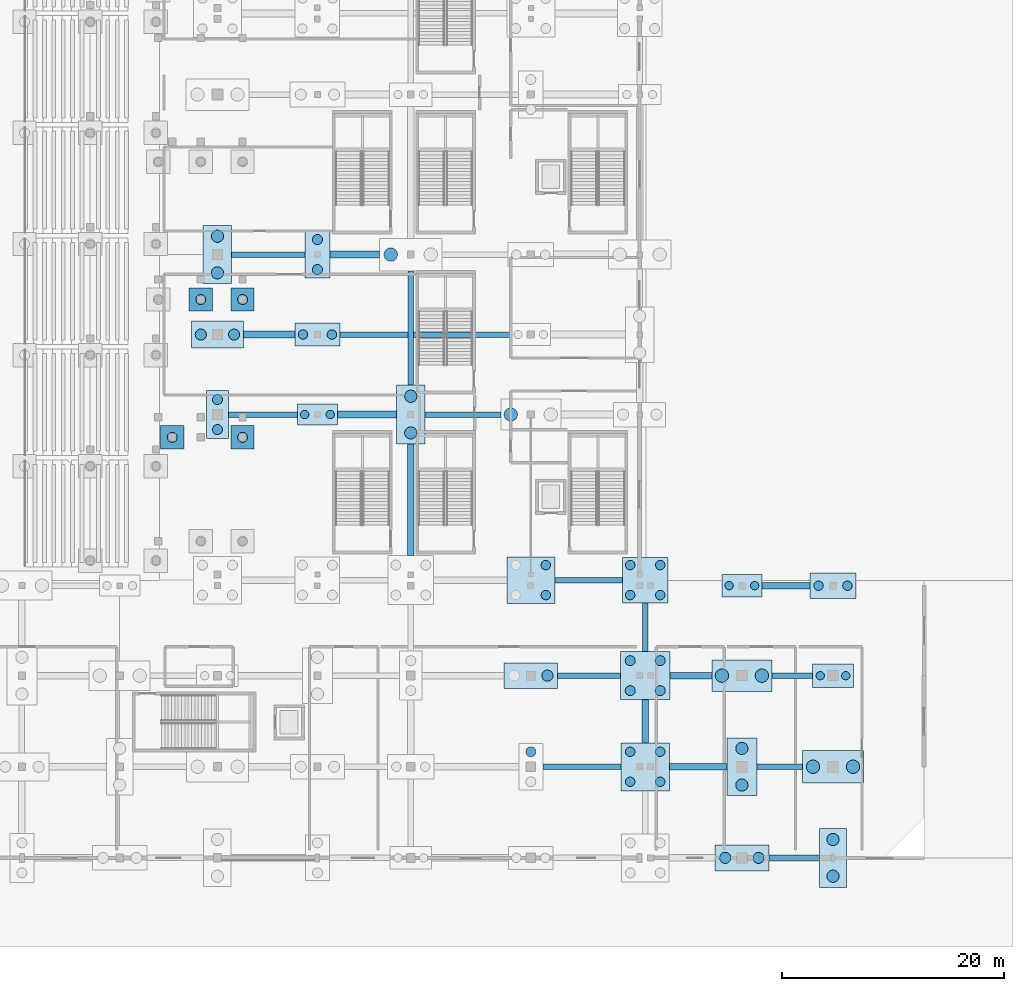
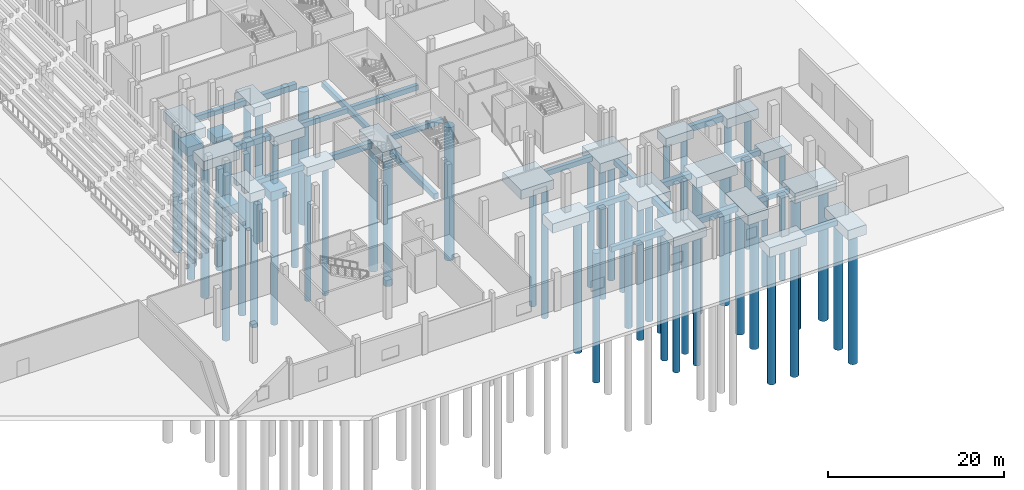
# One storey, part 8 of 89: 52 piles, 44 footings.
"""IFC4 building model written with IfcOpenShell, lengths in metres."""

from ifc_helpers import new_model, si_unit, direction, frame, origin, origin_2d, place, context, subcontext, project, spatial, rectangle, circle, extrude, material, material_profile, profile_set, type_object, element, save


model = new_model("IFC4")

# Units and contexts
model_context = context("Model", 3, precision=1e-05, world=origin(), true_north=direction((0.0, 1.0)))
body_context = subcontext(model_context, "Body", "Model", "MODEL_VIEW")
ifc_project = project(units=[si_unit("LENGTHUNIT", "METRE"), si_unit("AREAUNIT", "SQUARE_METRE"), si_unit("VOLUMEUNIT", "CUBIC_METRE"), si_unit("PLANEANGLEUNIT", "RADIAN"), si_unit("MASSUNIT", "GRAM", prefix="KILO")], contexts=[model_context])

# Site, building, storey
site_placement = place(None, origin())
site = spatial("IfcSite", under=ifc_project, at=site_placement, CompositionType="ELEMENT")
building_placement = place(site_placement, origin())
building = spatial("IfcBuilding", under=site, at=building_placement, Name="Koshinbarg Plaza Stadium", CompositionType="ELEMENT")
storey_placement = place(building_placement, origin())
storey = spatial("IfcBuildingStorey", under=building, at=storey_placement, Name="L00", CompositionType="ELEMENT", Elevation=0.0)

# Footings
ifc_material = material(Name="Concrete C35/45", Category="concrete")
ifc_material_profile_1 = material_profile(ifc_material, rectangle(XDim=0.5, YDim=0.699951171875, at=origin_2d()), Name="GB 500x700")
ifc_profile_set_1 = profile_set([ifc_material_profile_1], Name="Concrete C35/45")
footing_type_1 = type_object("IfcFootingType", Name="FT-GB-01", PredefinedType="FOOTING_BEAM", material=ifc_profile_set_1)
footing_1_placement = place(storey_placement, frame((230.02001953125, 0.0, -0.75), z_axis=(1.0, 0.0, 0.0), x_axis=(0.0, 1.0, 0.0)))
element("IfcFooting", 1, at=footing_1_placement, inside=storey, type_object=footing_type_1, Name="Ground footing beam GB-X-015", PredefinedType="FOOTING_BEAM", context=body_context, shape_type="SweptSolid", body=[
    extrude(rectangle(XDim=0.5, YDim=0.699951171875, at=origin_2d()), origin(), (0.0, 0.0, 1.0), 4.580078125),
])
footing_2_placement = place(storey_placement, frame((209.679931640625, 8.199951171875, -0.75), z_axis=(1.0, 0.0, 0.0), x_axis=(0.0, 1.0, 0.0)))
element("IfcFooting", 2, at=footing_2_placement, inside=storey, type_object=footing_type_1, Name="Ground footing beam GB-X-029", PredefinedType="FOOTING_BEAM", context=body_context, shape_type="SweptSolid", body=[
    extrude(rectangle(XDim=0.5, YDim=0.699951171875, at=origin_2d()), origin(), (0.0, 0.0, 1.0), 7.050048828125),
])
footing_3_placement = place(storey_placement, frame((228.9599609375, 8.199951171875, -0.75), z_axis=(1.0, 0.0, 0.0), x_axis=(0.0, 1.0, 0.0)))
element("IfcFooting", 3, at=footing_3_placement, inside=storey, type_object=footing_type_1, Name="Ground footing beam GB-X-031", PredefinedType="FOOTING_BEAM", context=body_context, shape_type="SweptSolid", body=[
    extrude(rectangle(XDim=0.5, YDim=0.699951171875, at=origin_2d()), origin(), (0.0, 0.0, 1.0), 4.10009765625),
])
footing_4_placement = place(storey_placement, frame((211.02001953125, 16.39990234375, -0.75), z_axis=(1.0, 0.0, 0.0), x_axis=(0.0, 1.0, 0.0)))
element("IfcFooting", 4, at=footing_4_placement, inside=storey, type_object=footing_type_1, Name="Ground footing beam GB-X-045", PredefinedType="FOOTING_BEAM", context=body_context, shape_type="SweptSolid", body=[
    extrude(rectangle(XDim=0.5, YDim=0.699951171875, at=origin_2d()), origin(), (0.0, 0.0, 1.0), 5.669921875),
])
footing_5_placement = place(storey_placement, frame((230.300048828125, 16.39990234375, -0.75), z_axis=(1.0, 0.0, 0.0), x_axis=(0.0, 1.0, 0.0)))
element("IfcFooting", 5, at=footing_5_placement, inside=storey, type_object=footing_type_1, Name="Ground footing beam GB-X-047", PredefinedType="FOOTING_BEAM", context=body_context, shape_type="SweptSolid", body=[
    extrude(rectangle(XDim=0.5, YDim=0.699951171875, at=origin_2d()), origin(), (0.0, 0.0, 1.0), 3.669921875),
])
footing_6_placement = place(storey_placement, frame((210.760009765625, 25.0, -0.800048828125), z_axis=(1.0, 0.0, 0.0), x_axis=(0.0, 1.0, 0.0)))
element("IfcFooting", 6, at=footing_6_placement, inside=storey, type_object=footing_type_1, Name="Ground footing beam GB-X-059", PredefinedType="FOOTING_BEAM", context=body_context, shape_type="SweptSolid", body=[
    extrude(rectangle(XDim=0.5, YDim=0.699951171875, at=origin_2d()), origin(), (0.0, 0.0, 1.0), 6.090087890625),
])
footing_7_placement = place(storey_placement, frame((181.39990234375, 39.89990234375, -0.800048828125), z_axis=(1.0, 0.0, 0.0), x_axis=(0.0, 1.0, 0.0)))
element("IfcFooting", 7, at=footing_7_placement, inside=storey, type_object=footing_type_1, Name="Ground footing beam GB-X-067", PredefinedType="FOOTING_BEAM", context=body_context, shape_type="SweptSolid", body=[
    extrude(rectangle(XDim=0.5, YDim=0.699951171875, at=origin_2d()), origin(), (0.0, 0.0, 1.0), 6.210205078125),
])
footing_8_placement = place(storey_placement, frame((199.080078125, 39.89990234375, -0.800048828125), z_axis=(1.0, 0.0, 0.0), x_axis=(0.0, 1.0, 0.0)))
element("IfcFooting", 8, at=footing_8_placement, inside=storey, type_object=footing_type_1, Name="Ground footing beam GB-X-069", PredefinedType="FOOTING_BEAM", context=body_context, shape_type="SweptSolid", body=[
    extrude(rectangle(XDim=0.5, YDim=0.699951171875, at=origin_2d()), origin(), (0.0, 0.0, 1.0), 6.81982421875),
])
footing_9_placement = place(storey_placement, frame((191.429931640625, 47.10009765625, -0.800048828125), z_axis=(1.0, 0.0, 0.0), x_axis=(0.0, 1.0, 0.0)))
element("IfcFooting", 9, at=footing_9_placement, inside=storey, type_object=footing_type_1, Name="Ground footing beam GB-X-077", PredefinedType="FOOTING_BEAM", context=body_context, shape_type="SweptSolid", body=[
    extrude(rectangle(XDim=0.5, YDim=0.699951171875, at=origin_2d()), origin(), (0.0, 0.0, 1.0), 15.380126953125),
])
footing_10_placement = place(storey_placement, frame((181.679931640625, 54.300048828125, -0.800048828125), z_axis=(1.0, 0.0, 0.0), x_axis=(0.0, 1.0, 0.0)))
element("IfcFooting", 10, at=footing_10_placement, inside=storey, type_object=footing_type_1, Name="Ground footing beam GB-X-085", PredefinedType="FOOTING_BEAM", context=body_context, shape_type="SweptSolid", body=[
    extrude(rectangle(XDim=0.5, YDim=0.699951171875, at=origin_2d()), origin(), (0.0, 0.0, 1.0), 6.60009765625),
])
footing_11_placement = place(storey_placement, frame((197.800048828125, 42.56005859375, -0.800048828125), z_axis=(0.0, 1.0, 0.0), x_axis=(-1.0, 0.0, 0.0)))
element("IfcFooting", 11, at=footing_11_placement, inside=storey, type_object=footing_type_1, Name="Ground footing beam GB-Y-245", PredefinedType="FOOTING_BEAM", context=body_context, shape_type="SweptSolid", body=[
    extrude(rectangle(XDim=0.5, YDim=0.699951171875, at=origin_2d()), origin(), (0.0, 0.0, 1.0), 10.280029296875),
])
footing_12_placement = place(storey_placement, frame((218.89990234375, 18.56005859375, -0.800048828125), z_axis=(0.0, 1.0, 0.0), x_axis=(-1.0, 0.0, 0.0)))
element("IfcFooting", 12, at=footing_12_placement, inside=storey, type_object=footing_type_1, Name="Ground footing beam GB-Y-255", PredefinedType="FOOTING_BEAM", context=body_context, shape_type="SweptSolid", body=[
    extrude(rectangle(XDim=0.5, YDim=0.699951171875, at=origin_2d()), origin(), (0.0, 0.0, 1.0), 4.389892578125),
])
ifc_material_profile_2 = material_profile(ifc_material, rectangle(XDim=0.60009765625, YDim=0.800048828125, at=origin_2d()), Name="GB 600x800")
ifc_profile_set_2 = profile_set([ifc_material_profile_2], Name="Concrete C35/45")
footing_type_2 = type_object("IfcFootingType", Name="FT-GB-02", PredefinedType="FOOTING_BEAM", material=ifc_profile_set_2)
footing_13_placement = place(storey_placement, frame((221.070068359375, 8.199951171875, -0.800048828125), z_axis=(1.0, 0.0, 0.0), x_axis=(0.0, 1.0, 0.0)))
element("IfcFooting", 13, at=footing_13_placement, inside=storey, type_object=footing_type_2, Name="Ground footing beam GB-X-030", PredefinedType="FOOTING_BEAM", context=body_context, shape_type="SweptSolid", body=[
    extrude(rectangle(XDim=0.60009765625, YDim=0.800048828125, at=origin_2d()), origin(), (0.0, 0.0, 1.0), 5.169921875),
])
footing_14_placement = place(storey_placement, frame((221.110107421875, 16.39990234375, -0.800048828125), z_axis=(1.0, 0.0, 0.0), x_axis=(0.0, 1.0, 0.0)))
element("IfcFooting", 14, at=footing_14_placement, inside=storey, type_object=footing_type_2, Name="Ground footing beam GB-X-046", PredefinedType="FOOTING_BEAM", context=body_context, shape_type="SweptSolid", body=[
    extrude(rectangle(XDim=0.60009765625, YDim=0.800048828125, at=origin_2d()), origin(), (0.0, 0.0, 1.0), 3.789794921875),
])
footing_15_placement = place(storey_placement, frame((229.389892578125, 24.5, -0.800048828125), z_axis=(1.0, 0.0, 0.0), x_axis=(0.0, 1.0, 0.0)))
element("IfcFooting", 15, at=footing_15_placement, inside=storey, type_object=footing_type_2, Name="Ground footing beam GB-X-060", PredefinedType="FOOTING_BEAM", context=body_context, shape_type="SweptSolid", body=[
    extrude(rectangle(XDim=0.60009765625, YDim=0.800048828125, at=origin_2d()), origin(), (0.0, 0.0, 1.0), 4.340087890625),
])
footing_16_placement = place(storey_placement, frame((191.18994140625, 39.89990234375, -0.85009765625), z_axis=(1.0, 0.0, 0.0), x_axis=(0.0, 1.0, 0.0)))
element("IfcFooting", 16, at=footing_16_placement, inside=storey, type_object=footing_type_2, Name="Ground footing beam GB-X-068", PredefinedType="FOOTING_BEAM", context=body_context, shape_type="SweptSolid", body=[
    extrude(rectangle(XDim=0.60009765625, YDim=0.800048828125, at=origin_2d()), origin(), (0.0, 0.0, 1.0), 5.330078125),
])
footing_17_placement = place(storey_placement, frame((182.739990234375, 47.10009765625, -0.85009765625), z_axis=(1.0, 0.0, 0.0), x_axis=(0.0, 1.0, 0.0)))
element("IfcFooting", 17, at=footing_17_placement, inside=storey, type_object=footing_type_2, Name="Ground footing beam GB-X-076", PredefinedType="FOOTING_BEAM", context=body_context, shape_type="SweptSolid", body=[
    extrude(rectangle(XDim=0.60009765625, YDim=0.800048828125, at=origin_2d()), origin(), (0.0, 0.0, 1.0), 4.630126953125),
])
footing_18_placement = place(storey_placement, frame((190.52001953125, 54.300048828125, -0.85009765625), z_axis=(1.0, 0.0, 0.0), x_axis=(0.0, 1.0, 0.0)))
element("IfcFooting", 18, at=footing_18_placement, inside=storey, type_object=footing_type_2, Name="Ground footing beam GB-X-086", PredefinedType="FOOTING_BEAM", context=body_context, shape_type="SweptSolid", body=[
    extrude(rectangle(XDim=0.60009765625, YDim=0.800048828125, at=origin_2d()), origin(), (0.0, 0.0, 1.0), 4.4599609375),
])
footing_19_placement = place(storey_placement, frame((197.800048828125, 27.2099609375, -0.85009765625), z_axis=(0.0, 1.0, 0.0), x_axis=(-1.0, 0.0, 0.0)))
element("IfcFooting", 19, at=footing_19_placement, inside=storey, type_object=footing_type_2, Name="Ground footing beam GB-Y-244", PredefinedType="FOOTING_BEAM", context=body_context, shape_type="SweptSolid", body=[
    extrude(rectangle(XDim=0.60009765625, YDim=0.800048828125, at=origin_2d()), origin(), (0.0, 0.0, 1.0), 10.030029296875),
])
footing_20_placement = place(storey_placement, frame((218.89990234375, 10.360107421875, -0.800048828125), z_axis=(0.0, 1.0, 0.0), x_axis=(-1.0, 0.0, 0.0)))
element("IfcFooting", 20, at=footing_20_placement, inside=storey, type_object=footing_type_2, Name="Ground footing beam GB-Y-254", PredefinedType="FOOTING_BEAM", context=body_context, shape_type="SweptSolid", body=[
    extrude(rectangle(XDim=0.60009765625, YDim=0.800048828125, at=origin_2d()), origin(), (0.0, 0.0, 1.0), 3.8798828125),
])
footing_type_3 = type_object("IfcFootingType", Name="FT-PC-200x434x125", PredefinedType="PILE_CAP", material=ifc_material)
footing_21_placement = place(storey_placement, frame((180.39990234375, 39.89990234375, -1.699951171875), z_axis=(0.0, 0.0, 1.0), x_axis=(1.0, 0.0, 0.0)))
element("IfcFooting", 21, at=footing_21_placement, inside=storey, type_object=footing_type_3, Name="Bored pile cap CAP-141", PredefinedType="PILE_CAP", context=body_context, shape_type="SweptSolid", body=[
    extrude(rectangle(XDim=2.0, YDim=4.340087890625, at=origin_2d()), origin(), (0.0, 0.0, 1.0), 1.25),
])
footing_type_4 = type_object("IfcFootingType", Name="FT-PC-210x210x125", PredefinedType="PILE_CAP", material=ifc_material)
for number, where, z_axis, x_axis, name in (
    (22, (176.330078125, 37.85009765625, -1.699951171875), (0.0, 0.0, 1.0), (1.0, 0.0, 0.0), "Bowl raker pile cap UT-E01-R-CF"),
    (23, (182.659912109375, 37.85009765625, -1.699951171875), (0.0, 0.0, 1.0), (1.0, 0.0, 0.0), "Bowl raker pile cap UT-E01-R-CB"),
    (24, (178.89990234375, 50.25, -1.699951171875), (0.0, 0.0, 1.0), (1.0, 0.0, 0.0), "Bowl raker pile cap UT-E02-R-CM"),
    (25, (182.659912109375, 50.25, -1.699951171875), (0.0, 0.0, 1.0), (1.0, 0.0, 0.0), "Bowl raker pile cap UT-E02-R-CB"),
):
    element("IfcFooting", number, at=place(storey_placement, frame(where, z_axis=z_axis, x_axis=x_axis)), inside=storey, type_object=footing_type_4, Name=name, PredefinedType="PILE_CAP", context=body_context, shape_type="SweptSolid", body=[
        extrude(rectangle(XDim=2.10009765625, YDim=2.10009765625, at=origin_2d()), origin(), (0.0, 0.0, 1.0), 1.25),
    ])
footing_type_5 = type_object("IfcFootingType", Name="FT-PC-224x418x125", PredefinedType="PILE_CAP", material=ifc_material)
footing_22_placement = place(storey_placement, frame((189.39990234375, 54.300048828125, -1.699951171875), z_axis=(0.0, 0.0, 1.0), x_axis=(1.0, 0.0, 0.0)))
element("IfcFooting", 26, at=footing_22_placement, inside=storey, type_object=footing_type_5, Name="Bored pile cap CAP-159", PredefinedType="PILE_CAP", context=body_context, shape_type="SweptSolid", body=[
    extrude(rectangle(XDim=2.239990234375, YDim=4.179931640625, at=origin_2d()), origin(), (0.0, 0.0, 1.0), 1.25),
])
footing_type_6 = type_object("IfcFootingType", Name="FT-PC-240x532x135", PredefinedType="PILE_CAP", material=ifc_material)
footing_23_placement = place(storey_placement, frame((235.800048828125, 0.0, -1.75), z_axis=(0.0, 0.0, 1.0), x_axis=(1.0, 0.0, 0.0)))
element("IfcFooting", 27, at=footing_23_placement, inside=storey, type_object=footing_type_6, Name="Bored pile cap CAP-221", PredefinedType="PILE_CAP", context=body_context, shape_type="SweptSolid", body=[
    extrude(rectangle(XDim=2.39990234375, YDim=5.320068359375, at=origin_2d()), origin(), (0.0, 0.0, 1.0), 1.35009765625),
])
footing_type_7 = type_object("IfcFootingType", Name="FT-PC-256x524x135", PredefinedType="PILE_CAP", material=ifc_material)
footing_24_placement = place(storey_placement, frame((180.39990234375, 54.300048828125, -1.800048828125), z_axis=(0.0, 0.0, 1.0), x_axis=(1.0, 0.0, 0.0)))
element("IfcFooting", 28, at=footing_24_placement, inside=storey, type_object=footing_type_7, Name="Bored pile cap CAP-143", PredefinedType="PILE_CAP", context=body_context, shape_type="SweptSolid", body=[
    extrude(rectangle(XDim=2.56005859375, YDim=5.239990234375, at=origin_2d()), origin(), (0.0, 0.0, 1.0), 1.35009765625),
])
footing_type_8 = type_object("IfcFootingType", Name="FT-PC-256x532x135", PredefinedType="PILE_CAP", material=ifc_material)
footing_25_placement = place(storey_placement, frame((197.800048828125, 39.89990234375, -1.800048828125), z_axis=(0.0, 0.0, 1.0), x_axis=(1.0, 0.0, 0.0)))
element("IfcFooting", 29, at=footing_25_placement, inside=storey, type_object=footing_type_8, Name="Bored pile cap CAP-173", PredefinedType="PILE_CAP", context=body_context, shape_type="SweptSolid", body=[
    extrude(rectangle(XDim=2.56005859375, YDim=5.320068359375, at=origin_2d()), origin(), (0.0, 0.0, 1.0), 1.35009765625),
])
footing_type_9 = type_object("IfcFootingType", Name="FT-PC-272x516x135", PredefinedType="PILE_CAP", material=ifc_material)
footing_26_placement = place(storey_placement, frame((227.60009765625, 8.199951171875, -1.75), z_axis=(0.0, 0.0, 1.0), x_axis=(1.0, 0.0, 0.0)))
element("IfcFooting", 30, at=footing_26_placement, inside=storey, type_object=footing_type_9, Name="Bored pile cap CAP-215", PredefinedType="PILE_CAP", context=body_context, shape_type="SweptSolid", body=[
    extrude(rectangle(XDim=2.719970703125, YDim=5.159912109375, at=origin_2d()), origin(), (0.0, 0.0, 1.0), 1.35009765625),
])
footing_type_10 = type_object("IfcFootingType", Name="FT-PC-358x188x120", PredefinedType="PILE_CAP", material=ifc_material)
footing_27_placement = place(storey_placement, frame((189.39990234375, 39.89990234375, -1.64990234375), z_axis=(0.0, 0.0, 1.0), x_axis=(1.0, 0.0, 0.0)))
element("IfcFooting", 31, at=footing_27_placement, inside=storey, type_object=footing_type_10, Name="Bored pile cap CAP-157", PredefinedType="PILE_CAP", context=body_context, shape_type="SweptSolid", body=[
    extrude(rectangle(XDim=3.580078125, YDim=1.8798828125, at=origin_2d()), origin(), (0.0, 0.0, 1.0), 1.199951171875),
])
footing_type_11 = type_object("IfcFootingType", Name="FT-PC-358x204x120", PredefinedType="PILE_CAP", material=ifc_material)
footing_28_placement = place(storey_placement, frame((227.60009765625, 24.5, -1.60009765625), z_axis=(0.0, 0.0, 1.0), x_axis=(1.0, 0.0, 0.0)))
element("IfcFooting", 32, at=footing_28_placement, inside=storey, type_object=footing_type_11, Name="Bored pile cap CAP-217", PredefinedType="PILE_CAP", context=body_context, shape_type="SweptSolid", body=[
    extrude(rectangle(XDim=3.580078125, YDim=2.0400390625, at=origin_2d()), origin(), (0.0, 0.0, 1.0), 1.199951171875),
])
footing_type_12 = type_object("IfcFootingType", Name="FT-PC-366x212x120", PredefinedType="PILE_CAP", material=ifc_material)
footing_29_placement = place(storey_placement, frame((235.800048828125, 16.39990234375, -1.60009765625), z_axis=(0.0, 0.0, 1.0), x_axis=(1.0, 0.0, 0.0)))
element("IfcFooting", 33, at=footing_29_placement, inside=storey, type_object=footing_type_12, Name="Bored pile cap CAP-223", PredefinedType="PILE_CAP", context=body_context, shape_type="SweptSolid", body=[
    extrude(rectangle(XDim=3.659912109375, YDim=2.1201171875, at=origin_2d()), origin(), (0.0, 0.0, 1.0), 1.199951171875),
])
footing_type_13 = type_object("IfcFootingType", Name="FT-PC-406x208x125", PredefinedType="PILE_CAP", material=ifc_material)
footing_30_placement = place(storey_placement, frame((189.39990234375, 47.10009765625, -1.699951171875), z_axis=(0.0, 0.0, 1.0), x_axis=(1.0, 0.0, 0.0)))
element("IfcFooting", 34, at=footing_30_placement, inside=storey, type_object=footing_type_13, Name="Bored pile cap CAP-158", PredefinedType="PILE_CAP", context=body_context, shape_type="SweptSolid", body=[
    extrude(rectangle(XDim=4.06005859375, YDim=2.080078125, at=origin_2d()), origin(), (0.0, 0.0, 1.0), 1.25),
])
footing_type_14 = type_object("IfcFootingType", Name="FT-PC-410x410x130", PredefinedType="PILE_CAP", material=ifc_material)
footing_31_placement = place(storey_placement, frame((218.89990234375, 25.0, -1.75), z_axis=(0.0, 0.0, 1.0), x_axis=(1.0, 0.0, 0.0)))
element("IfcFooting", 35, at=footing_31_placement, inside=storey, type_object=footing_type_14, Name="Bored pile cap CAP-201", PredefinedType="PILE_CAP", context=body_context, shape_type="SweptSolid", body=[
    extrude(rectangle(XDim=4.10009765625, YDim=4.10009765625, at=origin_2d()), origin(), (0.0, 0.0, 1.0), 1.300048828125),
])
footing_type_15 = type_object("IfcFootingType", Name="FT-PC-414x232x125", PredefinedType="PILE_CAP", material=ifc_material)
footing_32_placement = place(storey_placement, frame((235.800048828125, 24.5, -1.64990234375), z_axis=(0.0, 0.0, 1.0), x_axis=(1.0, 0.0, 0.0)))
element("IfcFooting", 36, at=footing_32_placement, inside=storey, type_object=footing_type_15, Name="Bored pile cap CAP-224", PredefinedType="PILE_CAP", context=body_context, shape_type="SweptSolid", body=[
    extrude(rectangle(XDim=4.139892578125, YDim=2.320068359375, at=origin_2d()), origin(), (0.0, 0.0, 1.0), 1.25),
])
footing_type_16 = type_object("IfcFootingType", Name="FT-PC-432x418x130", PredefinedType="PILE_CAP", material=ifc_material)
footing_33_placement = place(storey_placement, frame((208.60009765625, 25.0, -1.75), z_axis=(0.0, 0.0, 1.0), x_axis=(1.0, 0.0, 0.0)))
element("IfcFooting", 37, at=footing_33_placement, inside=storey, type_object=footing_type_16, Name="Bored pile cap CAP-185", PredefinedType="PILE_CAP", context=body_context, shape_type="SweptSolid", body=[
    extrude(rectangle(XDim=4.320068359375, YDim=4.179931640625, at=origin_2d()), origin(), (0.0, 0.0, 1.0), 1.300048828125),
])
footing_type_17 = type_object("IfcFootingType", Name="FT-PC-434x432x135", PredefinedType="PILE_CAP", material=ifc_material)
footing_34_placement = place(storey_placement, frame((218.89990234375, 8.199951171875, -1.75), z_axis=(0.0, 0.0, 1.0), x_axis=(1.0, 0.0, 0.0)))
element("IfcFooting", 38, at=footing_34_placement, inside=storey, type_object=footing_type_17, Name="Bored pile cap CAP-199", PredefinedType="PILE_CAP", context=body_context, shape_type="SweptSolid", body=[
    extrude(rectangle(XDim=4.340087890625, YDim=4.320068359375, at=origin_2d()), origin(), (0.0, 0.0, 1.0), 1.35009765625),
])
footing_type_18 = type_object("IfcFootingType", Name="FT-PC-442x432x130", PredefinedType="PILE_CAP", material=ifc_material)
footing_35_placement = place(storey_placement, frame((218.89990234375, 16.39990234375, -1.7001953125), z_axis=(0.0, 0.0, 1.0), x_axis=(1.0, 0.0, 0.0)))
element("IfcFooting", 39, at=footing_35_placement, inside=storey, type_object=footing_type_18, Name="Bored pile cap CAP-200", PredefinedType="PILE_CAP", context=body_context, shape_type="SweptSolid", body=[
    extrude(rectangle(XDim=4.419921875, YDim=4.320068359375, at=origin_2d()), origin(), (0.0, 0.0, 1.0), 1.300048828125),
])
footing_type_19 = type_object("IfcFootingType", Name="FT-PC-468x244x130", PredefinedType="PILE_CAP", material=ifc_material)
footing_36_placement = place(storey_placement, frame((180.39990234375, 47.10009765625, -1.75), z_axis=(0.0, 0.0, 1.0), x_axis=(1.0, 0.0, 0.0)))
element("IfcFooting", 40, at=footing_36_placement, inside=storey, type_object=footing_type_19, Name="Bored pile cap CAP-142", PredefinedType="PILE_CAP", context=body_context, shape_type="SweptSolid", body=[
    extrude(rectangle(XDim=4.679931640625, YDim=2.43994140625, at=origin_2d()), origin(), (0.0, 0.0, 1.0), 1.300048828125),
])
footing_type_20 = type_object("IfcFootingType", Name="FT-PC-484x228x130", PredefinedType="PILE_CAP", material=ifc_material)
footing_37_placement = place(storey_placement, frame((208.60009765625, 16.39990234375, -1.7001953125), z_axis=(0.0, 0.0, 1.0), x_axis=(1.0, 0.0, 0.0)))
element("IfcFooting", 41, at=footing_37_placement, inside=storey, type_object=footing_type_20, Name="Bored pile cap CAP-184", PredefinedType="PILE_CAP", context=body_context, shape_type="SweptSolid", body=[
    extrude(rectangle(XDim=4.840087890625, YDim=2.280029296875, at=origin_2d()), origin(), (0.0, 0.0, 1.0), 1.300048828125),
])
footing_type_21 = type_object("IfcFootingType", Name="FT-PC-484x236x130", PredefinedType="PILE_CAP", material=ifc_material)
footing_38_placement = place(storey_placement, frame((227.60009765625, 0.0, -1.7001953125), z_axis=(0.0, 0.0, 1.0), x_axis=(1.0, 0.0, 0.0)))
element("IfcFooting", 42, at=footing_38_placement, inside=storey, type_object=footing_type_21, Name="Bored pile cap CAP-214", PredefinedType="PILE_CAP", context=body_context, shape_type="SweptSolid", body=[
    extrude(rectangle(XDim=4.840087890625, YDim=2.360107421875, at=origin_2d()), origin(), (0.0, 0.0, 1.0), 1.300048828125),
])
footing_type_22 = type_object("IfcFootingType", Name="FT-PC-540x284x140", PredefinedType="PILE_CAP", material=ifc_material)
footing_39_placement = place(storey_placement, frame((227.60009765625, 16.39990234375, -1.800048828125), z_axis=(0.0, 0.0, 1.0), x_axis=(1.0, 0.0, 0.0)))
element("IfcFooting", 43, at=footing_39_placement, inside=storey, type_object=footing_type_22, Name="Bored pile cap CAP-216", PredefinedType="PILE_CAP", context=body_context, shape_type="SweptSolid", body=[
    extrude(rectangle(XDim=5.39990234375, YDim=2.840087890625, at=origin_2d()), origin(), (0.0, 0.0, 1.0), 1.39990234375),
])
footing_type_23 = type_object("IfcFootingType", Name="FT-PC-548x292x140", PredefinedType="PILE_CAP", material=ifc_material)
footing_40_placement = place(storey_placement, frame((235.800048828125, 8.199951171875, -1.800048828125), z_axis=(0.0, 0.0, 1.0), x_axis=(1.0, 0.0, 0.0)))
element("IfcFooting", 44, at=footing_40_placement, inside=storey, type_object=footing_type_23, Name="Bored pile cap CAP-222", PredefinedType="PILE_CAP", context=body_context, shape_type="SweptSolid", body=[
    extrude(rectangle(XDim=5.47998046875, YDim=2.919921875, at=origin_2d()), origin(), (0.0, 0.0, 1.0), 1.39990234375),
])

# Piles
ifc_material_profile_3 = material_profile(ifc_material, circle(Radius=0.5, at=origin_2d()), Name="PILE D1000")
ifc_profile_set_3 = profile_set([ifc_material_profile_3], Name="Concrete C35/45")
pile_type_1 = type_object("IfcPileType", Name="PL-D1000", PredefinedType="BORED", material=ifc_profile_set_3)
for number, where, z_axis, x_axis, name in (
    (45, (178.89990234375, 47.10009765625, -1.64990234375), (0.0, 0.0, -1.0), (1.0, 0.0, 0.0), "Bored pile CAP-142-1"),
    (46, (181.89990234375, 47.10009765625, -1.64990234375), (0.0, 0.0, -1.0), (1.0, 0.0, 0.0), "Bored pile CAP-142-2"),
    (47, (210.10009765625, 16.39990234375, -1.60009765625), (0.0, 0.0, -1.0), (1.0, 0.0, 0.0), "Bored pile CAP-184-2"),
    (48, (226.10009765625, 0.0, -1.60009765625), (0.0, 0.0, -1.0), (1.0, 0.0, 0.0), "Bored pile CAP-214-1"),
    (49, (229.10009765625, 0.0, -1.60009765625), (0.0, 0.0, -1.0), (1.0, 0.0, 0.0), "Bored pile CAP-214-2"),
):
    element("IfcPile", number, at=place(storey_placement, frame(where, z_axis=z_axis, x_axis=x_axis)), inside=storey, type_object=pile_type_1, Name=name, PredefinedType="BORED", context=body_context, shape_type="SweptSolid", body=[
        extrude(circle(Radius=0.5, at=origin_2d()), origin(), (0.0, 0.0, 1.0), 18.5),
    ])
ifc_material_profile_4 = material_profile(ifc_material, circle(Radius=0.550048828125, at=origin_2d()), Name="PILE D1100")
ifc_profile_set_4 = profile_set([ifc_material_profile_4], Name="Concrete C35/45")
pile_type_2 = type_object("IfcPileType", Name="PL-D1100", PredefinedType="BORED", material=ifc_profile_set_4)
for number, where, z_axis, x_axis, name in (
    (50, (180.39990234375, 52.64990234375, -1.699951171875), (0.0, 0.0, -1.0), (1.0, 0.0, 0.0), "Bored pile CAP-143-1"),
    (51, (180.39990234375, 55.949951171875, -1.699951171875), (0.0, 0.0, -1.0), (1.0, 0.0, 0.0), "Bored pile CAP-143-2"),
    (52, (197.800048828125, 38.25, -1.699951171875), (0.0, 0.0, -1.0), (1.0, 0.0, 0.0), "Bored pile CAP-173-1"),
    (53, (197.800048828125, 41.550048828125, -1.699951171875), (0.0, 0.0, -1.0), (1.0, 0.0, 0.0), "Bored pile CAP-173-2"),
    (54, (227.60009765625, 6.550048828125, -1.64990234375), (0.0, 0.0, -1.0), (1.0, 0.0, 0.0), "Bored pile CAP-215-1"),
    (55, (227.60009765625, 9.85009765625, -1.64990234375), (0.0, 0.0, -1.0), (1.0, 0.0, 0.0), "Bored pile CAP-215-2"),
    (56, (235.800048828125, -1.64990234375, -1.64990234375), (0.0, 0.0, -1.0), (1.0, 0.0, 0.0), "Bored pile CAP-221-1"),
    (57, (235.800048828125, 1.64990234375, -1.64990234375), (0.0, 0.0, -1.0), (1.0, 0.0, 0.0), "Bored pile CAP-221-2"),
):
    element("IfcPile", number, at=place(storey_placement, frame(where, z_axis=z_axis, x_axis=x_axis)), inside=storey, type_object=pile_type_2, Name=name, PredefinedType="BORED", context=body_context, shape_type="SweptSolid", body=[
        extrude(circle(Radius=0.550048828125, at=origin_2d()), origin(), (0.0, 0.0, 1.0), 18.0),
    ])
ifc_material_profile_5 = material_profile(ifc_material, circle(Radius=0.60009765625, at=origin_2d()), Name="PILE D1200")
ifc_profile_set_5 = profile_set([ifc_material_profile_5], Name="Concrete C35/45")
pile_type_3 = type_object("IfcPileType", Name="PL-D1200", PredefinedType="BORED", material=ifc_profile_set_5)
for number, where, z_axis, x_axis, name in (
    (58, (196.0, 54.300048828125, -1.75), (0.0, 0.0, -1.0), (1.0, 0.0, 0.0), "Bored pile CAP-174-1"),
    (59, (206.800048828125, 39.89990234375, -1.75), (0.0, 0.0, -1.0), (1.0, 0.0, 0.0), "Bored pile CAP-186-1"),
    (60, (225.800048828125, 16.39990234375, -1.699951171875), (0.0, 0.0, -1.0), (1.0, 0.0, 0.0), "Bored pile CAP-216-1"),
    (61, (229.39990234375, 16.39990234375, -1.699951171875), (0.0, 0.0, -1.0), (1.0, 0.0, 0.0), "Bored pile CAP-216-2"),
    (62, (234.0, 8.199951171875, -1.699951171875), (0.0, 0.0, -1.0), (1.0, 0.0, 0.0), "Bored pile CAP-222-1"),
    (63, (237.60009765625, 8.199951171875, -1.699951171875), (0.0, 0.0, -1.0), (1.0, 0.0, 0.0), "Bored pile CAP-222-2"),
):
    element("IfcPile", number, at=place(storey_placement, frame(where, z_axis=z_axis, x_axis=x_axis)), inside=storey, type_object=pile_type_3, Name=name, PredefinedType="BORED", context=body_context, shape_type="SweptSolid", body=[
        extrude(circle(Radius=0.60009765625, at=origin_2d()), origin(), (0.0, 0.0, 1.0), 18.5),
    ])
ifc_material_profile_6 = material_profile(ifc_material, circle(Radius=0.375, at=origin_2d()), Name="PILE D750")
ifc_profile_set_6 = profile_set([ifc_material_profile_6], Name="Concrete C35/45")
pile_type_4 = type_object("IfcPileType", Name="PL-D750", PredefinedType="BORED", material=ifc_profile_set_6)
for number, where, z_axis, x_axis, name in (
    (64, (188.25, 39.89990234375, -1.550048828125), (0.0, 0.0, -1.0), (1.0, 0.0, 0.0), "Bored pile CAP-157-1"),
    (65, (190.550048828125, 39.89990234375, -1.550048828125), (0.0, 0.0, -1.0), (1.0, 0.0, 0.0), "Bored pile CAP-157-2"),
    (66, (226.449951171875, 24.5, -1.5), (0.0, 0.0, -1.0), (1.0, 0.0, 0.0), "Bored pile CAP-217-1"),
    (67, (228.75, 24.5, -1.5), (0.0, 0.0, -1.0), (1.0, 0.0, 0.0), "Bored pile CAP-217-2"),
    (68, (234.64990234375, 16.39990234375, -1.5), (0.0, 0.0, -1.0), (1.0, 0.0, 0.0), "Bored pile CAP-223-1"),
    (69, (236.949951171875, 16.39990234375, -1.5), (0.0, 0.0, -1.0), (1.0, 0.0, 0.0), "Bored pile CAP-223-2"),
):
    element("IfcPile", number, at=place(storey_placement, frame(where, z_axis=z_axis, x_axis=x_axis)), inside=storey, type_object=pile_type_4, Name=name, PredefinedType="BORED", context=body_context, shape_type="SweptSolid", body=[
        extrude(circle(Radius=0.375, at=origin_2d()), origin(), (0.0, 0.0, 1.0), 18.0),
    ])
ifc_material_profile_7 = material_profile(ifc_material, circle(Radius=0.425048828125, at=origin_2d()), Name="PILE D850")
ifc_profile_set_7 = profile_set([ifc_material_profile_7], Name="Concrete C35/45")
pile_type_5 = type_object("IfcPileType", Name="PL-D850", PredefinedType="BORED", material=ifc_profile_set_7)
for number, where, z_axis, x_axis, name in (
    (70, (188.10009765625, 47.10009765625, -1.60009765625), (0.0, 0.0, -1.0), (1.0, 0.0, 0.0), "Bored pile CAP-158-1"),
    (71, (190.699951171875, 47.10009765625, -1.60009765625), (0.0, 0.0, -1.0), (1.0, 0.0, 0.0), "Bored pile CAP-158-2"),
):
    element("IfcPile", number, at=place(storey_placement, frame(where, z_axis=z_axis, x_axis=x_axis)), inside=storey, type_object=pile_type_5, Name=name, PredefinedType="BORED", context=body_context, shape_type="SweptSolid", body=[
        extrude(circle(Radius=0.425048828125, at=origin_2d()), origin(), (0.0, 0.0, 1.0), 18.5),
    ])
for number, where, z_axis, x_axis, name in (
    (72, (209.949951171875, 23.64990234375, -1.64990234375), (0.0, 0.0, -1.0), (1.0, 0.0, 0.0), "Bored pile CAP-185-2"),
    (73, (209.949951171875, 26.35009765625, -1.64990234375), (0.0, 0.0, -1.0), (1.0, 0.0, 0.0), "Bored pile CAP-185-4"),
    (74, (217.550048828125, 6.85009765625, -1.64990234375), (0.0, 0.0, -1.0), (1.0, 0.0, 0.0), "Bored pile CAP-199-1"),
    (75, (220.25, 6.85009765625, -1.64990234375), (0.0, 0.0, -1.0), (1.0, 0.0, 0.0), "Bored pile CAP-199-2"),
    (76, (217.550048828125, 9.550048828125, -1.64990234375), (0.0, 0.0, -1.0), (1.0, 0.0, 0.0), "Bored pile CAP-199-3"),
    (77, (220.25, 9.550048828125, -1.64990234375), (0.0, 0.0, -1.0), (1.0, 0.0, 0.0), "Bored pile CAP-199-4"),
    (78, (217.550048828125, 23.64990234375, -1.64990234375), (0.0, 0.0, -1.0), (1.0, 0.0, 0.0), "Bored pile CAP-201-1"),
    (79, (220.25, 23.64990234375, -1.64990234375), (0.0, 0.0, -1.0), (1.0, 0.0, 0.0), "Bored pile CAP-201-2"),
    (80, (217.550048828125, 26.35009765625, -1.64990234375), (0.0, 0.0, -1.0), (1.0, 0.0, 0.0), "Bored pile CAP-201-3"),
    (81, (220.25, 26.35009765625, -1.64990234375), (0.0, 0.0, -1.0), (1.0, 0.0, 0.0), "Bored pile CAP-201-4"),
):
    element("IfcPile", number, at=place(storey_placement, frame(where, z_axis=z_axis, x_axis=x_axis)), inside=storey, type_object=pile_type_5, Name=name, PredefinedType="BORED", context=body_context, shape_type="SweptSolid", body=[
        extrude(circle(Radius=0.425048828125, at=origin_2d()), origin(), (0.0, 0.0, 1.0), 18.0),
    ])
for number, where, z_axis, x_axis, name in (
    (82, (234.5, 24.5, -1.550048828125), (0.0, 0.0, -1.0), (1.0, 0.0, 0.0), "Bored pile CAP-224-1"),
    (83, (237.10009765625, 24.5, -1.550048828125), (0.0, 0.0, -1.0), (1.0, 0.0, 0.0), "Bored pile CAP-224-2"),
):
    element("IfcPile", number, at=place(storey_placement, frame(where, z_axis=z_axis, x_axis=x_axis)), inside=storey, type_object=pile_type_5, Name=name, PredefinedType="BORED", context=body_context, shape_type="SweptSolid", body=[
        extrude(circle(Radius=0.425048828125, at=origin_2d()), origin(), (0.0, 0.0, 1.0), 18.5),
    ])
ifc_material_profile_8 = material_profile(ifc_material, circle(Radius=0.449951171875, at=origin_2d()), Name="PILE D900")
ifc_profile_set_8 = profile_set([ifc_material_profile_8], Name="Concrete C35/45")
pile_type_6 = type_object("IfcPileType", Name="PL-D900", PredefinedType="BORED", material=ifc_profile_set_8)
for number, where, z_axis, x_axis, name in (
    (84, (180.39990234375, 38.550048828125, -1.60009765625), (0.0, 0.0, -1.0), (1.0, 0.0, 0.0), "Bored pile CAP-141-1"),
    (85, (180.39990234375, 41.25, -1.60009765625), (0.0, 0.0, -1.0), (1.0, 0.0, 0.0), "Bored pile CAP-141-2"),
    (86, (189.39990234375, 52.949951171875, -1.60009765625), (0.0, 0.0, -1.0), (1.0, 0.0, 0.0), "Bored pile CAP-159-1"),
    (87, (189.39990234375, 55.64990234375, -1.60009765625), (0.0, 0.0, -1.0), (1.0, 0.0, 0.0), "Bored pile CAP-159-2"),
    (88, (208.60009765625, 9.550048828125, -1.550048828125), (0.0, 0.0, -1.0), (1.0, 0.0, 0.0), "Bored pile CAP-183-2"),
):
    element("IfcPile", number, at=place(storey_placement, frame(where, z_axis=z_axis, x_axis=x_axis)), inside=storey, type_object=pile_type_6, Name=name, PredefinedType="BORED", context=body_context, shape_type="SweptSolid", body=[
        extrude(circle(Radius=0.449951171875, at=origin_2d()), origin(), (0.0, 0.0, 1.0), 18.0),
    ])
for number, where, z_axis, x_axis, name in (
    (89, (217.550048828125, 15.050048828125, -1.60009765625), (0.0, 0.0, -1.0), (1.0, 0.0, 0.0), "Bored pile CAP-200-1"),
    (90, (220.25, 15.050048828125, -1.60009765625), (0.0, 0.0, -1.0), (1.0, 0.0, 0.0), "Bored pile CAP-200-2"),
    (91, (217.550048828125, 17.75, -1.60009765625), (0.0, 0.0, -1.0), (1.0, 0.0, 0.0), "Bored pile CAP-200-3"),
    (92, (220.25, 17.75, -1.60009765625), (0.0, 0.0, -1.0), (1.0, 0.0, 0.0), "Bored pile CAP-200-4"),
):
    element("IfcPile", number, at=place(storey_placement, frame(where, z_axis=z_axis, x_axis=x_axis)), inside=storey, type_object=pile_type_6, Name=name, PredefinedType="BORED", context=body_context, shape_type="SweptSolid", body=[
        extrude(circle(Radius=0.449951171875, at=origin_2d()), origin(), (0.0, 0.0, 1.0), 18.5),
    ])
for number, where, z_axis, x_axis, name in (
    (93, (176.330078125, 37.85009765625, -1.60009765625), (0.0, 0.0, -1.0), (1.0, 0.0, 0.0), "Bowl raker bored pile UT-E01-R-CF"),
    (94, (182.659912109375, 37.85009765625, -1.60009765625), (0.0, 0.0, -1.0), (1.0, 0.0, 0.0), "Bowl raker bored pile UT-E01-R-CB"),
    (95, (178.89990234375, 50.25, -1.60009765625), (0.0, 0.0, -1.0), (1.0, 0.0, 0.0), "Bowl raker bored pile UT-E02-R-CM"),
    (96, (182.659912109375, 50.25, -1.60009765625), (0.0, 0.0, -1.0), (1.0, 0.0, 0.0), "Bowl raker bored pile UT-E02-R-CB"),
):
    element("IfcPile", number, at=place(storey_placement, frame(where, z_axis=z_axis, x_axis=x_axis)), inside=storey, type_object=pile_type_6, Name=name, PredefinedType="BORED", context=body_context, shape_type="SweptSolid", body=[
        extrude(circle(Radius=0.449951171875, at=origin_2d()), origin(), (0.0, 0.0, 1.0), 18.0),
    ])

save(model, "model.ifc")
